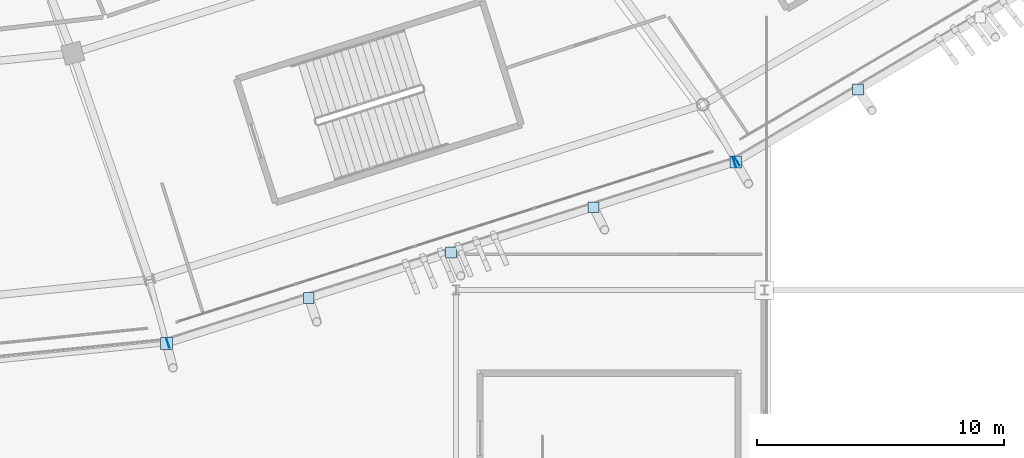
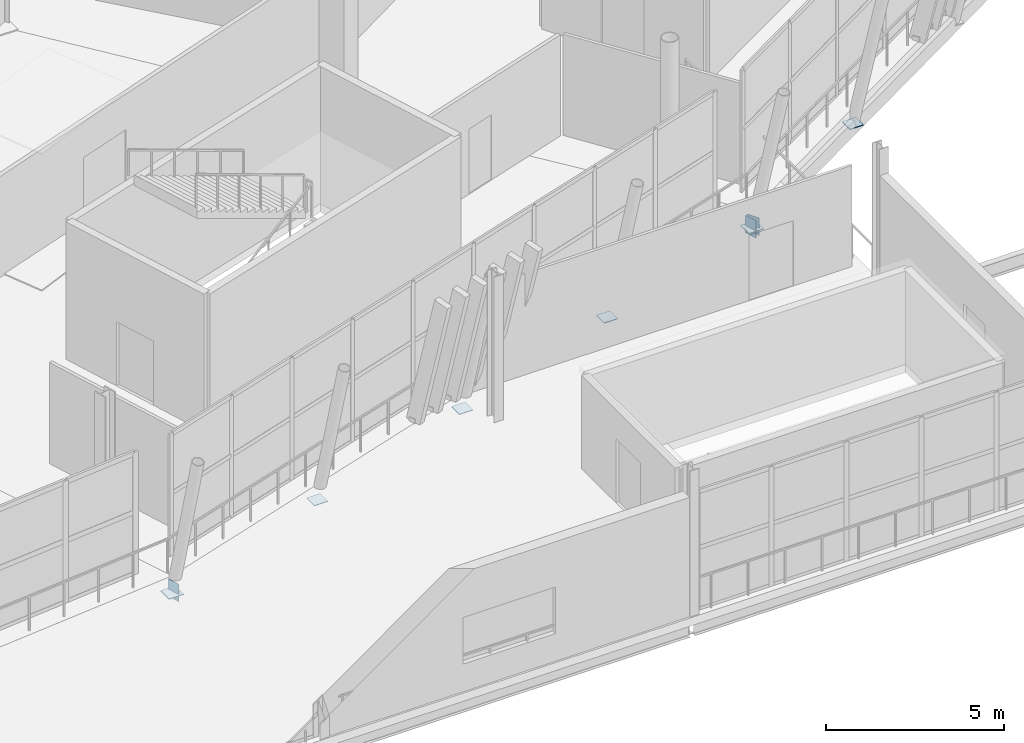
# One storey, part 110 of 179: 9 plates.
"""IFC4 building model written with IfcOpenShell, lengths in metres."""

from ifc_helpers import new_model, si_unit, direction, frame, origin, origin_2d, place, context, subcontext, project, spatial, rectangle, extrude, material, layer, layer_set, type_object, element, save


model = new_model("IFC4")

# Units and contexts
model_context = context("Model", 3, precision=1e-05, world=origin(), true_north=direction((0.0, 1.0)))
body_context = subcontext(model_context, "Body", "Model", "MODEL_VIEW")
ifc_project = project(units=[si_unit("LENGTHUNIT", "METRE"), si_unit("AREAUNIT", "SQUARE_METRE"), si_unit("VOLUMEUNIT", "CUBIC_METRE"), si_unit("PLANEANGLEUNIT", "RADIAN"), si_unit("MASSUNIT", "GRAM", prefix="KILO")], contexts=[model_context])

# Site, building, storey
site_placement = place(None, origin())
site = spatial("IfcSite", under=ifc_project, at=site_placement, CompositionType="ELEMENT")
building_placement = place(site_placement, origin())
building = spatial("IfcBuilding", under=site, at=building_placement, Name="Zlatoyarsky Gate Stadium", CompositionType="ELEMENT")
storey_placement = place(building_placement, frame((0.0, 0.0, 10.60009765625)))
storey = spatial("IfcBuildingStorey", under=building, at=storey_placement, Name="L02", CompositionType="ELEMENT", Elevation=10.60009765625)

# Plates
ifc_material = material(Name="Steel S355", Category="steel")
ifc_layer = layer(ifc_material, 0.02392578125)
ifc_layer_set = layer_set([ifc_layer], Name="Steel S355")
plate_type = type_object("IfcPlateType", Name="STEEL HOLLOW CHORD SPLICE SHEET 24", PredefinedType="SHEET", material=ifc_layer_set)
for number, where, z_axis, x_axis, name in (
    (1, (135.81982421875, 8.852783203125, -0.830078125), (0.0, 0.0, 1.0), (0.952708915846, 0.303884388653, 0.0), "Hollow end cap ND-SP1 CAP-L02-SPD-19 A"),
    (2, (158.78076171875, 16.176513671875, -0.830078125), (0.0, 0.0, 1.0), (0.952708915846, 0.303884388653, 0.0), "Hollow end cap ND-SP1 CAP-L02-SPD-19 B"),
):
    element("IfcPlate", number, at=place(storey_placement, frame(where, z_axis=z_axis, x_axis=x_axis)), inside=storey, type_object=plate_type, Name=name, PredefinedType="SHEET", context=body_context, shape_type="SweptSolid", body=[
        extrude(rectangle(XDim=0.02392578125, YDim=0.39990234375, at=origin_2d()), origin(), (0.0, 0.0, 1.0), 0.60009765625),
    ])
plate_1_placement = place(storey_placement, frame((135.7626953125, 8.83447265625, -0.592041015625), z_axis=(0.0, 0.0, 1.0), x_axis=(1.0, 0.0, 0.0)))
element("IfcPlate", 3, at=plate_1_placement, inside=storey, type_object=plate_type, Name="Node closure plate ND-SP1 NCAP-L02-RSTR-19", PredefinedType="SHEET", context=body_context, shape_type="SweptSolid", body=[
    extrude(rectangle(XDim=0.47998046875, YDim=0.47998046875, at=origin_2d()), origin(), (0.0, 0.0, 1.0), 0.02392578125),
])
plate_2_placement = place(storey_placement, frame((158.8896484375, 16.225341796875, -0.830078125), z_axis=(0.0, 0.0, 1.0), x_axis=(0.86093457238, 0.508715698678, 0.0)))
element("IfcPlate", 4, at=plate_2_placement, inside=storey, type_object=plate_type, Name="Hollow end cap ND-SP1 CAP-L02-SPD-20 A", PredefinedType="SHEET", context=body_context, shape_type="SweptSolid", body=[
    extrude(rectangle(XDim=0.02392578125, YDim=0.39990234375, at=origin_2d()), origin(), (0.0, 0.0, 1.0), 0.60009765625),
])
plate_3_placement = place(storey_placement, frame((158.837890625, 16.19482421875, -0.592041015625), z_axis=(0.0, 0.0, 1.0), x_axis=(1.0, 0.0, 0.0)))
element("IfcPlate", 5, at=plate_3_placement, inside=storey, type_object=plate_type, Name="Node closure plate ND-SP1 NCAP-L02-RSTR-20", PredefinedType="SHEET", context=body_context, shape_type="SweptSolid", body=[
    extrude(rectangle(XDim=0.47998046875, YDim=0.47998046875, at=origin_2d()), origin(), (0.0, 0.0, 1.0), 0.02392578125),
])
for number, where, z_axis, x_axis, name in (
    (6, (141.531494140625, 10.674560546875, -0.5419921875), (0.0, 0.0, 1.0), (1.0, 0.0, 0.0), "Node closure plate ND-SP1 NCAP-RIB-19-1-0T"),
    (7, (147.30029296875, 12.5146484375, -0.5419921875), (0.0, 0.0, 1.0), (1.0, 0.0, 0.0), "Node closure plate ND-SP1 NCAP-RIB-19-2-0T"),
    (8, (153.069091796875, 14.354736328125, -0.5419921875), (0.0, 0.0, 1.0), (1.0, 0.0, 0.0), "Node closure plate ND-SP1 NCAP-RIB-19-3-0T"),
    (9, (163.791748046875, 19.121826171875, -0.5419921875), (0.0, 0.0, 1.0), (1.0, 0.0, 0.0), "Node closure plate ND-SP1 NCAP-RIB-20-1-0T"),
):
    element("IfcPlate", number, at=place(storey_placement, frame(where, z_axis=z_axis, x_axis=x_axis)), inside=storey, type_object=plate_type, Name=name, PredefinedType="SHEET", context=body_context, shape_type="SweptSolid", body=[
        extrude(rectangle(XDim=0.43994140625, YDim=0.43994140625, at=origin_2d()), origin(), (0.0, 0.0, 1.0), 0.02392578125),
    ])

save(model, "model.ifc")
